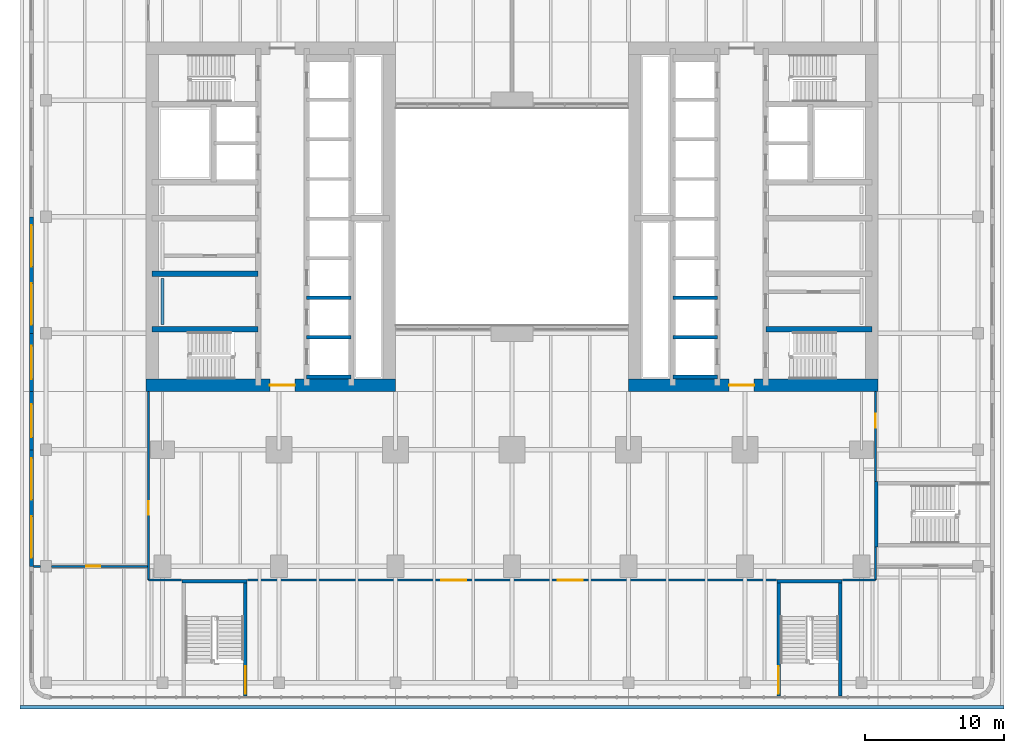
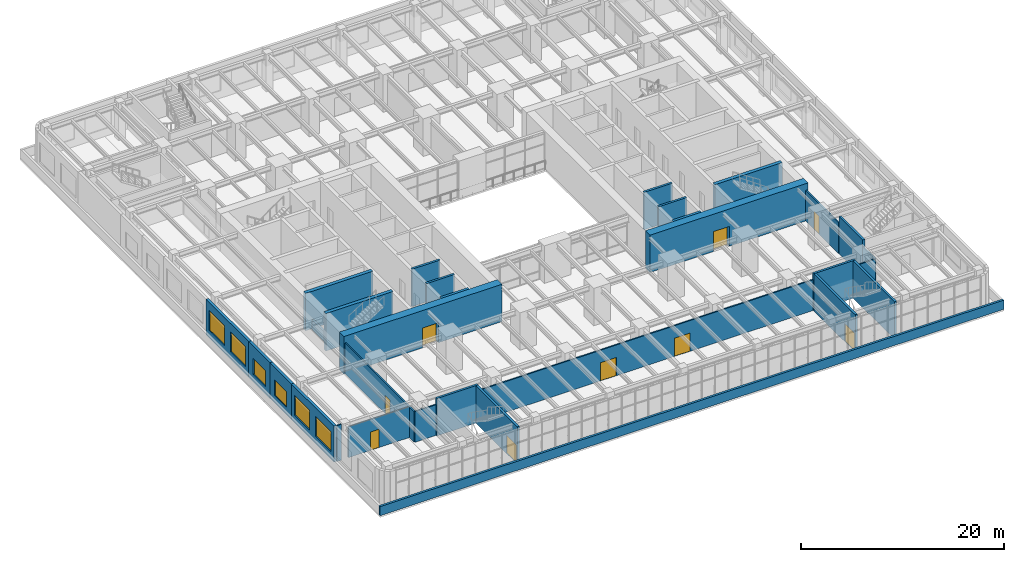
# One storey, part 17 of 30: 31 walls, 9 doors, 6 windows, 15 openings.
"""IFC4 building model written with IfcOpenShell, lengths in metres."""

from ifc_helpers import new_model, si_unit, direction, frame, frame_2d, origin, place, context, subcontext, project, spatial, rectangle, extrude, material, layer, layer_set, type_object, element, fill, save


model = new_model("IFC4")

# Units and contexts
model_context = context("Model", 3, precision=1e-05, world=origin(), true_north=direction((0.0, 1.0)))
body_context = subcontext(model_context, "Body", "Model", "MODEL_VIEW")
ifc_project = project(units=[si_unit("LENGTHUNIT", "METRE"), si_unit("AREAUNIT", "SQUARE_METRE"), si_unit("VOLUMEUNIT", "CUBIC_METRE"), si_unit("PLANEANGLEUNIT", "RADIAN"), si_unit("MASSUNIT", "GRAM", prefix="KILO")], contexts=[model_context])

# Site, building, storey
site_placement = place(None, origin())
site = spatial("IfcSite", under=ifc_project, at=site_placement, CompositionType="ELEMENT")
building_placement = place(site_placement, origin())
building = spatial("IfcBuilding", under=site, at=building_placement, Name="Claustro Exchange Tower", CompositionType="ELEMENT")
storey_placement = place(building_placement, frame((0.0, 0.0, 5.39990234375)))
storey = spatial("IfcBuildingStorey", under=building, at=storey_placement, Name="L01", CompositionType="ELEMENT", Elevation=5.39990234375)

# Wall
ifc_material_1 = material(Name="Gypsum board on steel studs", Category="steel")
ifc_layer_1 = layer(ifc_material_1, 0.14990234375)
ifc_layer_set_1 = layer_set([ifc_layer_1], Name="Gypsum board on steel studs")
wall_type_1 = type_object("IfcWallType", Name="P1 150 plasterboard partition", PredefinedType="PARTITIONING", material=ifc_layer_set_1)
wall_1_placement = place(storey_placement, frame((-1.0, -1.0, 0.0), z_axis=(0.0, 0.0, 1.0), x_axis=(1.0, 0.0, 0.0)))
element("IfcWall", 1, at=wall_1_placement, inside=storey, type_object=wall_type_1, Name="Partition P1 L01", PredefinedType="PARTITIONING", context=body_context, shape_type="SweptSolid", body=[
    extrude(rectangle(XDim=2.3798828125, YDim=0.14990234375, at=frame_2d((1.18994140625, 0.0))), origin(), (0.0, 0.0, 1.0), 3.7001953125),
])

# Wall, openings, doors
wall_2_placement = place(storey_placement, frame((6.1201171875, -1.0, 0.0), z_axis=(0.0, 0.0, 1.0), x_axis=(1.0, 0.0, 0.0)))
wall_2 = element("IfcWall", 2, at=wall_2_placement, inside=storey, type_object=wall_type_1, Name="Partition P1 L01", PredefinedType="PARTITIONING", context=body_context, shape_type="SweptSolid", body=[
    extrude(rectangle(XDim=38.159912109375, YDim=0.14990234375, at=frame_2d((19.080078125, 0.0))), origin(), (0.0, 0.0, 1.0), 3.7001953125),
])
opening_1_placement = place(wall_2_placement, frame((13.97998046875, 0.0, 0.0)))
opening_1 = element("IfcOpeningElement", 3, at=opening_1_placement, cuts=wall_2, Name="Opening D2", PredefinedType="OPENING", context=body_context, shape_type="SweptSolid", body=[
    extrude(rectangle(XDim=1.800048828125, YDim=2.199951171875, at=frame_2d((0.89990234375, 1.10009765625))), frame((0.0, 0.0849609375, 0.0), z_axis=(0.0, -1.0, 0.0), x_axis=(1.0, 0.0, 0.0)), (0.0, 0.0, 1.0), 0.169921875),
])
opening_2_placement = place(wall_2_placement, frame((22.3798828125, 0.0, 0.0)))
opening_2 = element("IfcOpeningElement", 4, at=opening_2_placement, cuts=wall_2, Name="Opening D2", PredefinedType="OPENING", context=body_context, shape_type="SweptSolid", body=[
    extrude(rectangle(XDim=1.800048828125, YDim=2.199951171875, at=frame_2d((0.89990234375, 1.10009765625))), frame((0.0, 0.0849609375, 0.0), z_axis=(0.0, -1.0, 0.0), x_axis=(1.0, 0.0, 0.0)), (0.0, 0.0, 1.0), 0.169921875),
])
ifc_material_2 = material(Name="Timber door, oak veneer", Category="wood")
door_type_1 = type_object("IfcDoorType", Name="D2 1800 x 2200 double door", OperationType="DOUBLE_DOOR_SINGLE_SWING", PredefinedType="DOOR", material=ifc_material_2)
door_1_placement = place(opening_1_placement, origin())
door_1 = element("IfcDoor", 5, at=door_1_placement, inside=storey, type_object=door_type_1, Name="Double door D2 L01", OperationType="DOUBLE_DOOR_SINGLE_SWING", OverallHeight=2.199951171875, OverallWidth=1.800048828125, PredefinedType="DOOR", context=body_context, shape_type="SweptSolid", body=[
    extrude(rectangle(XDim=1.800048828125, YDim=2.199951171875, at=frame_2d((0.89990234375, 1.10009765625))), frame((0.0, 0.02490234375, 0.0), z_axis=(0.0, -1.0, 0.0), x_axis=(1.0, 0.0, 0.0)), (0.0, 0.0, 1.0), 0.050048828125),
])
fill(opening_1, door_1)
door_2_placement = place(opening_2_placement, origin())
door_2 = element("IfcDoor", 6, at=door_2_placement, inside=storey, type_object=door_type_1, Name="Double door D2 L01", OperationType="DOUBLE_DOOR_SINGLE_SWING", OverallHeight=2.199951171875, OverallWidth=1.800048828125, PredefinedType="DOOR", context=body_context, shape_type="SweptSolid", body=[
    extrude(rectangle(XDim=1.800048828125, YDim=2.199951171875, at=frame_2d((0.89990234375, 1.10009765625))), frame((0.0, 0.02490234375, 0.0), z_axis=(0.0, -1.0, 0.0), x_axis=(1.0, 0.0, 0.0)), (0.0, 0.0, 1.0), 0.050048828125),
])
fill(opening_2, door_2)

# Walls
wall_3_placement = place(storey_placement, frame((49.02001953125, -1.0, 0.0), z_axis=(0.0, 0.0, 1.0), x_axis=(1.0, 0.0, 0.0)))
element("IfcWall", 7, at=wall_3_placement, inside=storey, type_object=wall_type_1, Name="Partition P1 L01", PredefinedType="PARTITIONING", context=body_context, shape_type="SweptSolid", body=[
    extrude(rectangle(XDim=2.3798828125, YDim=0.14990234375, at=frame_2d((1.18994140625, 0.0))), origin(), (0.0, 0.0, 1.0), 3.7001953125),
])
wall_4_placement = place(storey_placement, frame((-9.300048828125, 0.0, 0.0), z_axis=(0.0, 0.0, 1.0), x_axis=(1.0, 0.0, 0.0)))
element("IfcWall", 8, at=wall_4_placement, inside=storey, type_object=wall_type_1, Name="Partition P1 L01", PredefinedType="PARTITIONING", context=body_context, shape_type="SweptSolid", body=[
    extrude(rectangle(XDim=0.5009765625, YDim=0.14990234375, at=frame_2d((0.25048828125, 0.0))), origin(), (0.0, 0.0, 1.0), 4.300048828125),
])

# Wall, opening, door
wall_5_placement = place(storey_placement, frame((-8.0009765625, 0.0, 0.0), z_axis=(0.0, 0.0, 1.0), x_axis=(1.0, 0.0, 0.0)))
wall_5 = element("IfcWall", 9, at=wall_5_placement, inside=storey, type_object=wall_type_1, Name="Partition P1 L01", PredefinedType="PARTITIONING", context=body_context, shape_type="SweptSolid", body=[
    extrude(rectangle(XDim=6.927001953125, YDim=0.14990234375, at=frame_2d((3.46337890625, 0.0))), origin(), (0.0, 0.0, 1.0), 3.7001953125),
])
opening_3_placement = place(wall_5_placement, frame((2.5009765625, 0.0, 0.0)))
opening_3 = element("IfcOpeningElement", 10, at=opening_3_placement, cuts=wall_5, Name="Opening D1", PredefinedType="OPENING", context=body_context, shape_type="SweptSolid", body=[
    extrude(rectangle(XDim=1.0, YDim=2.199951171875, at=frame_2d((0.5, 1.10009765625))), frame((0.0, 0.0849609375, 0.0), z_axis=(0.0, -1.0, 0.0), x_axis=(1.0, 0.0, 0.0)), (0.0, 0.0, 1.0), 0.169921875),
])
ifc_material_3 = material(Name="Timber door, oak veneer", Category="wood")
door_type_2 = type_object("IfcDoorType", Name="D1 1000 x 2200 single door", OperationType="SINGLE_SWING_LEFT", PredefinedType="DOOR", material=ifc_material_3)
door_3_placement = place(opening_3_placement, origin())
door_3 = element("IfcDoor", 11, at=door_3_placement, inside=storey, type_object=door_type_2, Name="Door D1 L01", OperationType="SINGLE_SWING_RIGHT", OverallHeight=2.199951171875, OverallWidth=1.0, PredefinedType="DOOR", context=body_context, shape_type="SweptSolid", body=[
    extrude(rectangle(XDim=1.0, YDim=2.199951171875, at=frame_2d((0.5, 1.10009765625))), frame((0.0, 0.02490234375, 0.0), z_axis=(0.0, -1.0, 0.0), x_axis=(1.0, 0.0, 0.0)), (0.0, 0.0, 1.0), 0.050048828125),
])
fill(opening_3, door_3)

wall_6_placement = place(storey_placement, frame((-1.0, -1.0, 0.0), z_axis=(0.0, 0.0, 1.0), x_axis=(0.0, 1.0, 0.0)))
wall_6 = element("IfcWall", 12, at=wall_6_placement, inside=storey, type_object=wall_type_1, Name="Partition P1 L01", PredefinedType="PARTITIONING", context=body_context, shape_type="SweptSolid", body=[
    extrude(rectangle(XDim=13.60205078125, YDim=0.14990234375, at=frame_2d((6.801025390625, 0.0))), origin(), (0.0, 0.0, 1.0), 3.7001953125),
])
opening_4_placement = place(wall_6_placement, frame((4.699951171875, 0.0, 0.0)))
opening_4 = element("IfcOpeningElement", 13, at=opening_4_placement, cuts=wall_6, Name="Opening D1", PredefinedType="OPENING", context=body_context, shape_type="SweptSolid", body=[
    extrude(rectangle(XDim=1.0, YDim=2.199951171875, at=frame_2d((0.5, 1.10009765625))), frame((0.0, 0.0849609375, 0.0), z_axis=(0.0, -1.0, 0.0), x_axis=(1.0, 0.0, 0.0)), (0.0, 0.0, 1.0), 0.169921875),
])
door_4_placement = place(opening_4_placement, origin())
door_4 = element("IfcDoor", 14, at=door_4_placement, inside=storey, type_object=door_type_2, Name="Door D1 L01", OperationType="SINGLE_SWING_LEFT", OverallHeight=2.199951171875, OverallWidth=1.0, PredefinedType="DOOR", context=body_context, shape_type="SweptSolid", body=[
    extrude(rectangle(XDim=1.0, YDim=2.199951171875, at=frame_2d((0.5, 1.10009765625))), frame((0.0, 0.02490234375, 0.0), z_axis=(0.0, -1.0, 0.0), x_axis=(1.0, 0.0, 0.0)), (0.0, 0.0, 1.0), 0.050048828125),
])
fill(opening_4, door_4)

# Wall
wall_7_placement = place(storey_placement, frame((51.39990234375, -1.0, 0.0), z_axis=(0.0, 0.0, 1.0), x_axis=(0.0, 1.0, 0.0)))
element("IfcWall", 15, at=wall_7_placement, inside=storey, type_object=wall_type_1, Name="Partition P1 L01", PredefinedType="PARTITIONING", context=body_context, shape_type="SweptSolid", body=[
    extrude(rectangle(XDim=2.3798828125, YDim=0.14990234375, at=frame_2d((1.18994140625, 0.0))), origin(), (0.0, 0.0, 1.0), 3.7001953125),
])

# Wall, opening, door
wall_8_placement = place(storey_placement, frame((51.39990234375, 6.1201171875, 0.0), z_axis=(0.0, 0.0, 1.0), x_axis=(0.0, 1.0, 0.0)))
wall_8 = element("IfcWall", 16, at=wall_8_placement, inside=storey, type_object=wall_type_1, Name="Partition P1 L01", PredefinedType="PARTITIONING", context=body_context, shape_type="SweptSolid", body=[
    extrude(rectangle(XDim=6.48193359375, YDim=0.14990234375, at=frame_2d((3.240966796875, 0.0))), origin(), (0.0, 0.0, 1.0), 3.7001953125),
])
opening_5_placement = place(wall_8_placement, frame((3.8798828125, 0.0, 0.0)))
opening_5 = element("IfcOpeningElement", 17, at=opening_5_placement, cuts=wall_8, Name="Opening D1", PredefinedType="OPENING", context=body_context, shape_type="SweptSolid", body=[
    extrude(rectangle(XDim=1.0, YDim=2.199951171875, at=frame_2d((0.5, 1.10009765625))), frame((0.0, 0.0849609375, 0.0), z_axis=(0.0, -1.0, 0.0), x_axis=(1.0, 0.0, 0.0)), (0.0, 0.0, 1.0), 0.169921875),
])
door_5_placement = place(opening_5_placement, frame((1.0, 0.0, 0.0), z_axis=(0.0, 0.0, 1.0), x_axis=(-1.0, 0.0, 0.0)))
door_5 = element("IfcDoor", 18, at=door_5_placement, inside=storey, type_object=door_type_2, Name="Door D1 L01", OperationType="SINGLE_SWING_LEFT", OverallHeight=2.199951171875, OverallWidth=1.0, PredefinedType="DOOR", context=body_context, shape_type="SweptSolid", body=[
    extrude(rectangle(XDim=1.0, YDim=2.199951171875, at=frame_2d((0.5, 1.10009765625))), frame((0.0, 0.02490234375, 0.0), z_axis=(0.0, -1.0, 0.0), x_axis=(1.0, 0.0, 0.0)), (0.0, 0.0, 1.0), 0.050048828125),
])
fill(opening_5, door_5)

# Wall, openings, windows
ifc_material_4 = material(Name="Concrete HA-40 (C40/50), precast, white cement, acid-etched", Category="concrete")
ifc_layer_2 = layer(ifc_material_4, 0.300048828125)
ifc_layer_set_2 = layer_set([ifc_layer_2], Name="Concrete HA-40 (C40/50), precast, white cement, acid-etched")
wall_type_2 = type_object("IfcWallType", Name="PC1 300 precast concrete pier panel", PredefinedType="SOLIDWALL", material=ifc_layer_set_2)
wall_9_placement = place(storey_placement, frame((-9.449951171875, 0.0, 0.0), z_axis=(0.0, 0.0, 1.0), x_axis=(0.0, 1.0, 0.0)))
wall_9 = element("IfcWall", 19, at=wall_9_placement, inside=storey, type_object=wall_type_2, Name="Precast pier panel PC1 L01", PredefinedType="SOLIDWALL", context=body_context, shape_type="SweptSolid", body=[
    extrude(rectangle(XDim=8.39990234375, YDim=0.300048828125, at=frame_2d((4.199951171875, 0.0))), origin(), (0.0, 0.0, 1.0), 4.300048828125),
])
opening_6_placement = place(wall_9_placement, frame((0.60009765625, 0.0, 0.89990234375)))
opening_6 = element("IfcOpeningElement", 20, at=opening_6_placement, cuts=wall_9, Name="Opening W3", PredefinedType="OPENING", context=body_context, shape_type="SweptSolid", body=[
    extrude(rectangle(XDim=3.0, YDim=2.39990234375, at=frame_2d((1.5, 1.199951171875))), frame((0.0, 0.159912109375, 0.0), z_axis=(0.0, -1.0, 0.0), x_axis=(1.0, 0.0, 0.0)), (0.0, 0.0, 1.0), 0.320068359375),
])
opening_7_placement = place(wall_9_placement, frame((4.800048828125, 0.0, 0.89990234375)))
opening_7 = element("IfcOpeningElement", 21, at=opening_7_placement, cuts=wall_9, Name="Opening W3", PredefinedType="OPENING", context=body_context, shape_type="SweptSolid", body=[
    extrude(rectangle(XDim=3.0, YDim=2.39990234375, at=frame_2d((1.5, 1.199951171875))), frame((0.0, 0.159912109375, 0.0), z_axis=(0.0, -1.0, 0.0), x_axis=(1.0, 0.0, 0.0)), (0.0, 0.0, 1.0), 0.320068359375),
])
ifc_material_5 = material(Name="Aluminium frame, clear double glazing", Category="aluminium")
window_type_1 = type_object("IfcWindowType", Name="W3 3000 x 2400 window", PartitioningType="SINGLE_PANEL", PredefinedType="WINDOW", material=ifc_material_5)
window_1_placement = place(opening_6_placement, origin())
window_1 = element("IfcWindow", 22, at=window_1_placement, inside=storey, type_object=window_type_1, Name="Window W3 L01", OverallHeight=2.39990234375, OverallWidth=3.0, PartitioningType="SINGLE_PANEL", PredefinedType="WINDOW", context=body_context, shape_type="SweptSolid", body=[
    extrude(rectangle(XDim=3.0, YDim=2.39990234375, at=frame_2d((1.5, 1.199951171875))), frame((0.0, 0.030029296875, 0.0), z_axis=(0.0, -1.0, 0.0), x_axis=(1.0, 0.0, 0.0)), (0.0, 0.0, 1.0), 0.06005859375),
])
fill(opening_6, window_1)
window_2_placement = place(opening_7_placement, origin())
window_2 = element("IfcWindow", 23, at=window_2_placement, inside=storey, type_object=window_type_1, Name="Window W3 L01", OverallHeight=2.39990234375, OverallWidth=3.0, PartitioningType="SINGLE_PANEL", PredefinedType="WINDOW", context=body_context, shape_type="SweptSolid", body=[
    extrude(rectangle(XDim=3.0, YDim=2.39990234375, at=frame_2d((1.5, 1.199951171875))), frame((0.0, 0.030029296875, 0.0), z_axis=(0.0, -1.0, 0.0), x_axis=(1.0, 0.0, 0.0)), (0.0, 0.0, 1.0), 0.06005859375),
])
fill(opening_7, window_2)

# Wall, opening, window
wall_10_placement = place(storey_placement, frame((-9.449951171875, 8.39990234375, 0.0), z_axis=(0.0, 0.0, 1.0), x_axis=(0.0, 1.0, 0.0)))
wall_10 = element("IfcWall", 24, at=wall_10_placement, inside=storey, type_object=wall_type_2, Name="Precast pier panel PC1 L01", PredefinedType="SOLIDWALL", context=body_context, shape_type="SweptSolid", body=[
    extrude(rectangle(XDim=4.2001953125, YDim=0.300048828125, at=frame_2d((2.10009765625, 0.0))), origin(), (0.0, 0.0, 1.0), 4.300048828125),
])
opening_8_placement = place(wall_10_placement, frame((0.89990234375, 0.0, 0.89990234375)))
opening_8 = element("IfcOpeningElement", 25, at=opening_8_placement, cuts=wall_10, Name="Opening W2", PredefinedType="OPENING", context=body_context, shape_type="SweptSolid", body=[
    extrude(rectangle(XDim=2.39990234375, YDim=1.89990234375, at=frame_2d((1.199951171875, 0.949951171875))), frame((0.0, 0.159912109375, 0.0), z_axis=(0.0, -1.0, 0.0), x_axis=(1.0, 0.0, 0.0)), (0.0, 0.0, 1.0), 0.320068359375),
])
ifc_material_6 = material(Name="Aluminium frame, clear double glazing", Category="aluminium")
window_type_2 = type_object("IfcWindowType", Name="W2 2400 x 1900 window", PartitioningType="SINGLE_PANEL", PredefinedType="WINDOW", material=ifc_material_6)
window_3_placement = place(opening_8_placement, origin())
window_3 = element("IfcWindow", 26, at=window_3_placement, inside=storey, type_object=window_type_2, Name="Window W2 L01", OverallHeight=1.89990234375, OverallWidth=2.39990234375, PartitioningType="SINGLE_PANEL", PredefinedType="WINDOW", context=body_context, shape_type="SweptSolid", body=[
    extrude(rectangle(XDim=2.39990234375, YDim=1.89990234375, at=frame_2d((1.199951171875, 0.949951171875))), frame((0.0, 0.030029296875, 0.0), z_axis=(0.0, -1.0, 0.0), x_axis=(1.0, 0.0, 0.0)), (0.0, 0.0, 1.0), 0.06005859375),
])
fill(opening_8, window_3)

wall_11_placement = place(storey_placement, frame((-9.449951171875, 12.60009765625, 0.0), z_axis=(0.0, 0.0, 1.0), x_axis=(0.0, 1.0, 0.0)))
wall_11 = element("IfcWall", 27, at=wall_11_placement, inside=storey, type_object=wall_type_2, Name="Precast pier panel PC1 L01", PredefinedType="SOLIDWALL", context=body_context, shape_type="SweptSolid", body=[
    extrude(rectangle(XDim=4.199951171875, YDim=0.300048828125, at=frame_2d((2.10009765625, 0.0))), origin(), (0.0, 0.0, 1.0), 4.300048828125),
])
opening_9_placement = place(wall_11_placement, frame((0.89990234375, 0.0, 0.89990234375)))
opening_9 = element("IfcOpeningElement", 28, at=opening_9_placement, cuts=wall_11, Name="Opening W2", PredefinedType="OPENING", context=body_context, shape_type="SweptSolid", body=[
    extrude(rectangle(XDim=2.39990234375, YDim=1.89990234375, at=frame_2d((1.199951171875, 0.949951171875))), frame((0.0, 0.159912109375, 0.0), z_axis=(0.0, -1.0, 0.0), x_axis=(1.0, 0.0, 0.0)), (0.0, 0.0, 1.0), 0.320068359375),
])
window_4_placement = place(opening_9_placement, origin())
window_4 = element("IfcWindow", 29, at=window_4_placement, inside=storey, type_object=window_type_2, Name="Window W2 L01", OverallHeight=1.89990234375, OverallWidth=2.39990234375, PartitioningType="SINGLE_PANEL", PredefinedType="WINDOW", context=body_context, shape_type="SweptSolid", body=[
    extrude(rectangle(XDim=2.39990234375, YDim=1.89990234375, at=frame_2d((1.199951171875, 0.949951171875))), frame((0.0, 0.030029296875, 0.0), z_axis=(0.0, -1.0, 0.0), x_axis=(1.0, 0.0, 0.0)), (0.0, 0.0, 1.0), 0.06005859375),
])
fill(opening_9, window_4)

# Wall, openings, windows
wall_12_placement = place(storey_placement, frame((-9.449951171875, 16.800048828125, 0.0), z_axis=(0.0, 0.0, 1.0), x_axis=(0.0, 1.0, 0.0)))
wall_12 = element("IfcWall", 30, at=wall_12_placement, inside=storey, type_object=wall_type_2, Name="Precast pier panel PC1 L01", PredefinedType="SOLIDWALL", context=body_context, shape_type="SweptSolid", body=[
    extrude(rectangle(XDim=8.39990234375, YDim=0.300048828125, at=frame_2d((4.199951171875, 0.0))), origin(), (0.0, 0.0, 1.0), 4.300048828125),
])
opening_10_placement = place(wall_12_placement, frame((0.60009765625, 0.0, 0.89990234375)))
opening_10 = element("IfcOpeningElement", 31, at=opening_10_placement, cuts=wall_12, Name="Opening W3", PredefinedType="OPENING", context=body_context, shape_type="SweptSolid", body=[
    extrude(rectangle(XDim=3.0, YDim=2.39990234375, at=frame_2d((1.5, 1.199951171875))), frame((0.0, 0.159912109375, 0.0), z_axis=(0.0, -1.0, 0.0), x_axis=(1.0, 0.0, 0.0)), (0.0, 0.0, 1.0), 0.320068359375),
])
opening_11_placement = place(wall_12_placement, frame((4.800048828125, 0.0, 0.89990234375)))
opening_11 = element("IfcOpeningElement", 32, at=opening_11_placement, cuts=wall_12, Name="Opening W3", PredefinedType="OPENING", context=body_context, shape_type="SweptSolid", body=[
    extrude(rectangle(XDim=3.0, YDim=2.39990234375, at=frame_2d((1.5, 1.199951171875))), frame((0.0, 0.159912109375, 0.0), z_axis=(0.0, -1.0, 0.0), x_axis=(1.0, 0.0, 0.0)), (0.0, 0.0, 1.0), 0.320068359375),
])
window_5_placement = place(opening_10_placement, origin())
window_5 = element("IfcWindow", 33, at=window_5_placement, inside=storey, type_object=window_type_1, Name="Window W3 L01", OverallHeight=2.39990234375, OverallWidth=3.0, PartitioningType="SINGLE_PANEL", PredefinedType="WINDOW", context=body_context, shape_type="SweptSolid", body=[
    extrude(rectangle(XDim=3.0, YDim=2.39990234375, at=frame_2d((1.5, 1.199951171875))), frame((0.0, 0.030029296875, 0.0), z_axis=(0.0, -1.0, 0.0), x_axis=(1.0, 0.0, 0.0)), (0.0, 0.0, 1.0), 0.06005859375),
])
fill(opening_10, window_5)
window_6_placement = place(opening_11_placement, origin())
window_6 = element("IfcWindow", 34, at=window_6_placement, inside=storey, type_object=window_type_1, Name="Window W3 L01", OverallHeight=2.39990234375, OverallWidth=3.0, PartitioningType="SINGLE_PANEL", PredefinedType="WINDOW", context=body_context, shape_type="SweptSolid", body=[
    extrude(rectangle(XDim=3.0, YDim=2.39990234375, at=frame_2d((1.5, 1.199951171875))), frame((0.0, 0.030029296875, 0.0), z_axis=(0.0, -1.0, 0.0), x_axis=(1.0, 0.0, 0.0)), (0.0, 0.0, 1.0), 0.06005859375),
])
fill(opening_11, window_6)

# Walls
ifc_material_7 = material(Name="Concrete HA-40 (C40/50), precast, white cement, acid-etched", Category="concrete")
ifc_layer_3 = layer(ifc_material_7, 0.25)
ifc_layer_set_3 = layer_set([ifc_layer_3], Name="Concrete HA-40 (C40/50), precast, white cement, acid-etched")
wall_type_3 = type_object("IfcWallType", Name="PP1 250 precast concrete parapet", PredefinedType="PARAPET", material=ifc_layer_set_3)
wall_13_placement = place(storey_placement, frame((60.675048828125, -10.14990234375, 0.0), z_axis=(0.0, 0.0, 1.0), x_axis=(-1.0, 0.0, 0.0)))
element("IfcWall", 35, at=wall_13_placement, inside=storey, type_object=wall_type_3, Name="Parapet PP1 roof at +5.400", PredefinedType="PARAPET", context=body_context, shape_type="SweptSolid", body=[
    extrude(rectangle(XDim=70.949951171875, YDim=0.25, at=frame_2d((35.47509765625, 0.0))), origin(), (0.0, 0.0, 1.0), 1.10009765625),
])
ifc_material_8 = material(Name="Gypsum board on steel studs, tiled", Category="steel")
ifc_layer_4 = layer(ifc_material_8, 0.199951171875)
ifc_layer_set_4 = layer_set([ifc_layer_4], Name="Gypsum board on steel studs, tiled")
wall_type_4 = type_object("IfcWallType", Name="PW1 200 WC duct wall", PredefinedType="PLUMBINGWALL", material=ifc_layer_set_4)
wall_14_placement = place(storey_placement, frame((0.0, 17.449951171875, 0.0), z_axis=(0.0, 0.0, 1.0), x_axis=(0.0, 1.0, 0.0)))
element("IfcWall", 36, at=wall_14_placement, inside=storey, type_object=wall_type_4, Name="WC duct wall PW1 L01", PredefinedType="PLUMBINGWALL", context=body_context, shape_type="SweptSolid", body=[
    extrude(rectangle(XDim=3.300048828125, YDim=0.199951171875, at=frame_2d((1.64990234375, 0.0))), origin(), (0.0, 0.0, 1.0), 1.2001953125),
])

# Wall, opening, door
ifc_material_9 = material(Name="Concrete HA-70 (C70/85)", Category="concrete")
ifc_layer_5 = layer(ifc_material_9, 0.89990234375)
ifc_layer_set_5 = layer_set([ifc_layer_5], Name="Concrete HA-70 (C70/85)")
wall_type_5 = type_object("IfcWallType", Name="SW1 900 core shear wall", PredefinedType="SHEAR", material=ifc_layer_set_5)
wall_15_placement = place(storey_placement, frame((-1.199951171875, 13.050048828125, 0.0), z_axis=(0.0, 0.0, 1.0), x_axis=(1.0, 0.0, 0.0)))
wall_15 = element("IfcWall", 37, at=wall_15_placement, inside=storey, type_object=wall_type_5, Name="Core wall SW1 W core S face L01", PredefinedType="SHEAR", context=body_context, shape_type="SweptSolid", body=[
    extrude(rectangle(XDim=18.0, YDim=0.89990234375, at=frame_2d((9.0, 0.0))), origin(), (0.0, 0.0, 1.0), 4.5),
])
opening_12_placement = place(wall_15_placement, frame((8.949951171875, 0.0, 0.0)))
opening_12 = element("IfcOpeningElement", 38, at=opening_12_placement, cuts=wall_15, Name="Opening D3", PredefinedType="OPENING", context=body_context, shape_type="SweptSolid", body=[
    extrude(rectangle(XDim=1.800048828125, YDim=2.39990234375, at=frame_2d((0.89990234375, 1.199951171875))), frame((0.0, 0.4599609375, 0.0), z_axis=(0.0, -1.0, 0.0), x_axis=(1.0, 0.0, 0.0)), (0.0, 0.0, 1.0), 0.919921875),
])
ifc_material_10 = material(Name="Steel fire door, painted", Category="steel")
door_type_3 = type_object("IfcDoorType", Name="D3 1800 x 2400 fire-rated lobby double door", OperationType="DOUBLE_DOOR_SINGLE_SWING", PredefinedType="DOOR", material=ifc_material_10)
door_6_placement = place(opening_12_placement, origin())
door_6 = element("IfcDoor", 39, at=door_6_placement, inside=storey, type_object=door_type_3, Name="Lift lobby door D3 L01", OperationType="DOUBLE_DOOR_SINGLE_SWING", OverallHeight=2.39990234375, OverallWidth=1.800048828125, PredefinedType="DOOR", context=body_context, shape_type="SweptSolid", body=[
    extrude(rectangle(XDim=1.800048828125, YDim=2.39990234375, at=frame_2d((0.89990234375, 1.199951171875))), frame((0.0, 0.02490234375, 0.0), z_axis=(0.0, -1.0, 0.0), x_axis=(1.0, 0.0, 0.0)), (0.0, 0.0, 1.0), 0.050048828125),
])
fill(opening_12, door_6)

wall_16_placement = place(storey_placement, frame((33.60009765625, 13.050048828125, 0.0), z_axis=(0.0, 0.0, 1.0), x_axis=(1.0, 0.0, 0.0)))
wall_16 = element("IfcWall", 40, at=wall_16_placement, inside=storey, type_object=wall_type_5, Name="Core wall SW1 E core S face L01", PredefinedType="SHEAR", context=body_context, shape_type="SweptSolid", body=[
    extrude(rectangle(XDim=18.0, YDim=0.89990234375, at=frame_2d((9.0, 0.0))), origin(), (0.0, 0.0, 1.0), 4.5),
])
opening_13_placement = place(wall_16_placement, frame((7.25, 0.0, 0.0)))
opening_13 = element("IfcOpeningElement", 41, at=opening_13_placement, cuts=wall_16, Name="Opening D3", PredefinedType="OPENING", context=body_context, shape_type="SweptSolid", body=[
    extrude(rectangle(XDim=1.800048828125, YDim=2.39990234375, at=frame_2d((0.89990234375, 1.199951171875))), frame((0.0, 0.4599609375, 0.0), z_axis=(0.0, -1.0, 0.0), x_axis=(1.0, 0.0, 0.0)), (0.0, 0.0, 1.0), 0.919921875),
])
door_7_placement = place(opening_13_placement, origin())
door_7 = element("IfcDoor", 42, at=door_7_placement, inside=storey, type_object=door_type_3, Name="Lift lobby door D3 L01", OperationType="DOUBLE_DOOR_SINGLE_SWING", OverallHeight=2.39990234375, OverallWidth=1.800048828125, PredefinedType="DOOR", context=body_context, shape_type="SweptSolid", body=[
    extrude(rectangle(XDim=1.800048828125, YDim=2.39990234375, at=frame_2d((0.89990234375, 1.199951171875))), frame((0.0, 0.02490234375, 0.0), z_axis=(0.0, -1.0, 0.0), x_axis=(1.0, 0.0, 0.0)), (0.0, 0.0, 1.0), 0.050048828125),
])
fill(opening_13, door_7)

# Walls
ifc_material_11 = material(Name="Concrete HA-50 (C50/60)", Category="concrete")
ifc_layer_6 = layer(ifc_material_11, 0.39990234375)
ifc_layer_set_6 = layer_set([ifc_layer_6], Name="Concrete HA-50 (C50/60)")
wall_type_6 = type_object("IfcWallType", Name="SW4 400 internal core wall", PredefinedType="SHEAR", material=ifc_layer_set_6)
for number, where, z_axis, x_axis, name in (
    (43, (-0.75, 17.10009765625, 0.0), (0.0, 0.0, 1.0), (1.0, 0.0, 0.0), "Internal core wall SW4 W core L01"),
    (44, (-0.75, 21.10009765625, 0.0), (0.0, 0.0, 1.0), (1.0, 0.0, 0.0), "Internal core wall SW4 W core L01"),
    (45, (51.14990234375, 17.10009765625, 0.0), (0.0, 0.0, 1.0), (-1.0, 0.0, 0.0), "Internal core wall SW4 E core L01"),
):
    element("IfcWall", number, at=place(storey_placement, frame(where, z_axis=z_axis, x_axis=x_axis)), inside=storey, type_object=wall_type_6, Name=name, PredefinedType="SHEAR", context=body_context, shape_type="SweptSolid", body=[
        extrude(rectangle(XDim=7.64990234375, YDim=0.39990234375, at=frame_2d((3.824951171875, 0.0))), origin(), (0.0, 0.0, 1.0), 4.5),
    ])
ifc_material_12 = material(Name="Concrete HA-50 (C50/60)", Category="concrete")
ifc_layer_7 = layer(ifc_material_12, 0.25)
ifc_layer_set_7 = layer_set([ifc_layer_7], Name="Concrete HA-50 (C50/60)")
wall_type_7 = type_object("IfcWallType", Name="SW5 250 lift shaft divider wall", PredefinedType="SHEAR", material=ifc_layer_set_7)
for number, where, z_axis, x_axis, name in (
    (46, (10.39990234375, 16.52490234375, 0.0), (0.0, 0.0, 1.0), (1.0, 0.0, 0.0), "Lift shaft wall W core L01"),
    (47, (10.39990234375, 19.375, 0.0), (0.0, 0.0, 1.0), (1.0, 0.0, 0.0), "Lift shaft wall W core L01"),
):
    element("IfcWall", number, at=place(storey_placement, frame(where, z_axis=z_axis, x_axis=x_axis)), inside=storey, type_object=wall_type_7, Name=name, PredefinedType="SHEAR", context=body_context, shape_type="SweptSolid", body=[
        extrude(rectangle(XDim=3.2001953125, YDim=0.25, at=frame_2d((1.60009765625, 0.0))), origin(), (0.0, 0.0, 1.0), 4.5),
    ])
for number, where, z_axis, x_axis, name in (
    (48, (40.0, 16.52490234375, 0.0), (0.0, 0.0, 1.0), (-1.0, 0.0, 0.0), "Lift shaft wall E core L01"),
    (49, (40.0, 19.375, 0.0), (0.0, 0.0, 1.0), (-1.0, 0.0, 0.0), "Lift shaft wall E core L01"),
):
    element("IfcWall", number, at=place(storey_placement, frame(where, z_axis=z_axis, x_axis=x_axis)), inside=storey, type_object=wall_type_7, Name=name, PredefinedType="SHEAR", context=body_context, shape_type="SweptSolid", body=[
        extrude(rectangle(XDim=3.199951171875, YDim=0.25, at=frame_2d((1.60009765625, 0.0))), origin(), (0.0, 0.0, 1.0), 4.5),
    ])
ifc_material_13 = material(Name="Concrete HA-50 (C50/60)", Category="concrete")
ifc_layer_8 = layer(ifc_material_13, 0.300048828125)
ifc_layer_set_8 = layer_set([ifc_layer_8], Name="Concrete HA-50 (C50/60)")
wall_type_8 = type_object("IfcWallType", Name="SW6A 300 lift shaft end wall", PredefinedType="SHEAR", material=ifc_layer_set_8)
wall_17_placement = place(storey_placement, frame((10.39990234375, 13.64990234375, 0.0), z_axis=(0.0, 0.0, 1.0), x_axis=(1.0, 0.0, 0.0)))
element("IfcWall", 50, at=wall_17_placement, inside=storey, type_object=wall_type_8, Name="Lift shaft wall W core L01", PredefinedType="SHEAR", context=body_context, shape_type="SweptSolid", body=[
    extrude(rectangle(XDim=3.2001953125, YDim=0.300048828125, at=frame_2d((1.60009765625, 0.0))), origin(), (0.0, 0.0, 1.0), 4.5),
])
wall_18_placement = place(storey_placement, frame((40.0, 13.64990234375, 0.0), z_axis=(0.0, 0.0, 1.0), x_axis=(-1.0, 0.0, 0.0)))
element("IfcWall", 51, at=wall_18_placement, inside=storey, type_object=wall_type_8, Name="Lift shaft wall E core L01", PredefinedType="SHEAR", context=body_context, shape_type="SweptSolid", body=[
    extrude(rectangle(XDim=3.199951171875, YDim=0.300048828125, at=frame_2d((1.60009765625, 0.0))), origin(), (0.0, 0.0, 1.0), 4.5),
])

# Wall, opening, door
ifc_material_14 = material(Name="Concrete HA-40 (C40/50)", Category="concrete")
ifc_layer_9 = layer(ifc_material_14, 0.25)
ifc_layer_set_9 = layer_set([ifc_layer_9], Name="Concrete HA-40 (C40/50)")
wall_type_9 = type_object("IfcWallType", Name="SW7 250 reinforced concrete stair wall", PredefinedType="SOLIDWALL", material=ifc_layer_set_9)
wall_19_placement = place(storey_placement, frame((5.97509765625, -9.35205078125, 0.0), z_axis=(0.0, 0.0, 1.0), x_axis=(0.0, 1.0, 0.0)))
wall_19 = element("IfcWall", 52, at=wall_19_placement, inside=storey, type_object=wall_type_9, Name="Stair enclosure wall STP1 SW7 L01", PredefinedType="SOLIDWALL", context=body_context, shape_type="SweptSolid", body=[
    extrude(rectangle(XDim=8.152099609375, YDim=0.25, at=frame_2d((4.076171875, 0.0))), origin(), (0.0, 0.0, 1.0), 4.5),
])
opening_14_placement = place(wall_19_placement, frame((0.14990234375, 0.0, 0.0)))
opening_14 = element("IfcOpeningElement", 53, at=opening_14_placement, cuts=wall_19, Name="Opening D11", PredefinedType="OPENING", context=body_context, shape_type="SweptSolid", body=[
    extrude(rectangle(XDim=2.0, YDim=2.199951171875, at=frame_2d((1.0, 1.10009765625))), frame((0.0, 0.135009765625, 0.0), z_axis=(0.0, -1.0, 0.0), x_axis=(1.0, 0.0, 0.0)), (0.0, 0.0, 1.0), 0.27001953125),
])
ifc_material_15 = material(Name="Steel fire door, painted", Category="steel")
door_type_4 = type_object("IfcDoorType", Name="D11 2000 x 2200 fire-rated stair double door", OperationType="DOUBLE_DOOR_SINGLE_SWING", PredefinedType="DOOR", material=ifc_material_15)
door_8_placement = place(opening_14_placement, origin())
door_8 = element("IfcDoor", 54, at=door_8_placement, inside=storey, type_object=door_type_4, Name="Stair door STP1 D11 L01", OperationType="DOUBLE_DOOR_SINGLE_SWING", OverallHeight=2.199951171875, OverallWidth=2.0, PredefinedType="DOOR", context=body_context, shape_type="SweptSolid", body=[
    extrude(rectangle(XDim=2.0, YDim=2.199951171875, at=frame_2d((1.0, 1.10009765625))), frame((0.0, 0.02490234375, 0.0), z_axis=(0.0, -1.0, 0.0), x_axis=(1.0, 0.0, 0.0)), (0.0, 0.0, 1.0), 0.050048828125),
])
fill(opening_14, door_8)

# Wall
wall_20_placement = place(storey_placement, frame((1.39990234375, -1.074951171875, 0.0), z_axis=(0.0, 0.0, 1.0), x_axis=(1.0, 0.0, 0.0)))
element("IfcWall", 55, at=wall_20_placement, inside=storey, type_object=wall_type_9, Name="Stair enclosure wall STP1 SW7 L01", PredefinedType="SOLIDWALL", context=body_context, shape_type="SweptSolid", body=[
    extrude(rectangle(XDim=4.7001953125, YDim=0.25, at=frame_2d((2.35009765625, 0.0))), origin(), (0.0, 0.0, 1.0), 4.5),
])

# Wall, opening, door
wall_21_placement = place(storey_placement, frame((44.425048828125, -9.35205078125, 0.0), z_axis=(0.0, 0.0, 1.0), x_axis=(0.0, 1.0, 0.0)))
wall_21 = element("IfcWall", 56, at=wall_21_placement, inside=storey, type_object=wall_type_9, Name="Stair enclosure wall STP2 SW7 L01", PredefinedType="SOLIDWALL", context=body_context, shape_type="SweptSolid", body=[
    extrude(rectangle(XDim=8.152099609375, YDim=0.25, at=frame_2d((4.076171875, 0.0))), origin(), (0.0, 0.0, 1.0), 4.5),
])
opening_15_placement = place(wall_21_placement, frame((0.14990234375, 0.0, 0.0)))
opening_15 = element("IfcOpeningElement", 57, at=opening_15_placement, cuts=wall_21, Name="Opening D11", PredefinedType="OPENING", context=body_context, shape_type="SweptSolid", body=[
    extrude(rectangle(XDim=2.0, YDim=2.199951171875, at=frame_2d((1.0, 1.10009765625))), frame((0.0, 0.135009765625, 0.0), z_axis=(0.0, -1.0, 0.0), x_axis=(1.0, 0.0, 0.0)), (0.0, 0.0, 1.0), 0.27001953125),
])
door_9_placement = place(opening_15_placement, frame((2.0, 0.0, 0.0), z_axis=(0.0, 0.0, 1.0), x_axis=(-1.0, 0.0, 0.0)))
door_9 = element("IfcDoor", 58, at=door_9_placement, inside=storey, type_object=door_type_4, Name="Stair door STP2 D11 L01", OperationType="DOUBLE_DOOR_SINGLE_SWING", OverallHeight=2.199951171875, OverallWidth=2.0, PredefinedType="DOOR", context=body_context, shape_type="SweptSolid", body=[
    extrude(rectangle(XDim=2.0, YDim=2.199951171875, at=frame_2d((1.0, 1.10009765625))), frame((0.0, 0.02490234375, 0.0), z_axis=(0.0, -1.0, 0.0), x_axis=(1.0, 0.0, 0.0)), (0.0, 0.0, 1.0), 0.050048828125),
])
fill(opening_15, door_9)

# Walls
wall_22_placement = place(storey_placement, frame((48.875, -9.35205078125, 0.0), z_axis=(0.0, 0.0, 1.0), x_axis=(0.0, 1.0, 0.0)))
element("IfcWall", 59, at=wall_22_placement, inside=storey, type_object=wall_type_9, Name="Stair enclosure wall STP2 SW7 L01", PredefinedType="SOLIDWALL", context=body_context, shape_type="SweptSolid", body=[
    extrude(rectangle(XDim=8.152099609375, YDim=0.25, at=frame_2d((4.076171875, 0.0))), origin(), (0.0, 0.0, 1.0), 4.5),
])
wall_23_placement = place(storey_placement, frame((44.300048828125, -1.074951171875, 0.0), z_axis=(0.0, 0.0, 1.0), x_axis=(1.0, 0.0, 0.0)))
element("IfcWall", 60, at=wall_23_placement, inside=storey, type_object=wall_type_9, Name="Stair enclosure wall STP2 SW7 L01", PredefinedType="SOLIDWALL", context=body_context, shape_type="SweptSolid", body=[
    extrude(rectangle(XDim=4.699951171875, YDim=0.25, at=frame_2d((2.35009765625, 0.0))), origin(), (0.0, 0.0, 1.0), 4.5),
])
wall_24_placement = place(storey_placement, frame((51.47509765625, 1.39990234375, 0.0), z_axis=(0.0, 0.0, 1.0), x_axis=(0.0, 1.0, 0.0)))
element("IfcWall", 61, at=wall_24_placement, inside=storey, type_object=wall_type_9, Name="Stair enclosure wall STP6 SW7 L01", PredefinedType="SOLIDWALL", context=body_context, shape_type="SweptSolid", body=[
    extrude(rectangle(XDim=4.7001953125, YDim=0.25, at=frame_2d((2.35009765625, 0.0))), origin(), (0.0, 0.0, 1.0), 4.5),
])

save(model, "model.ifc")
